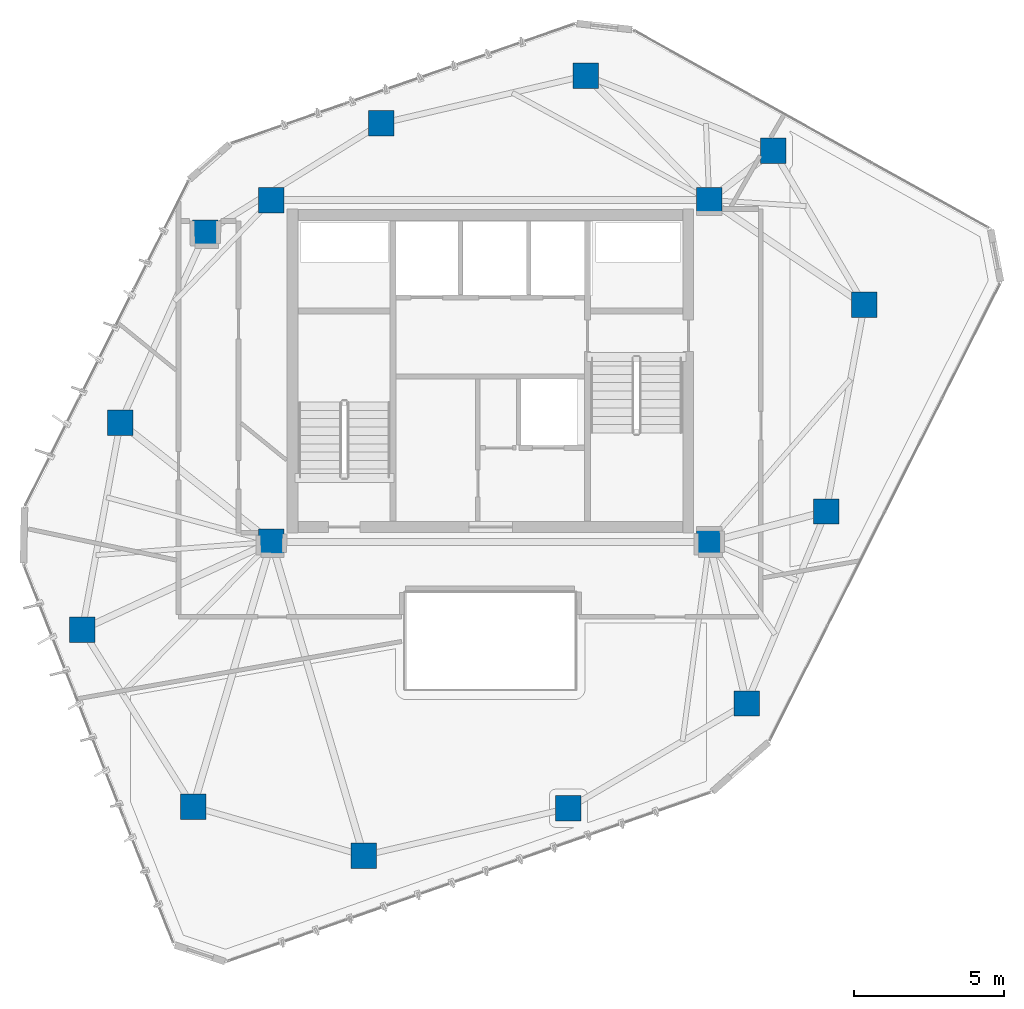
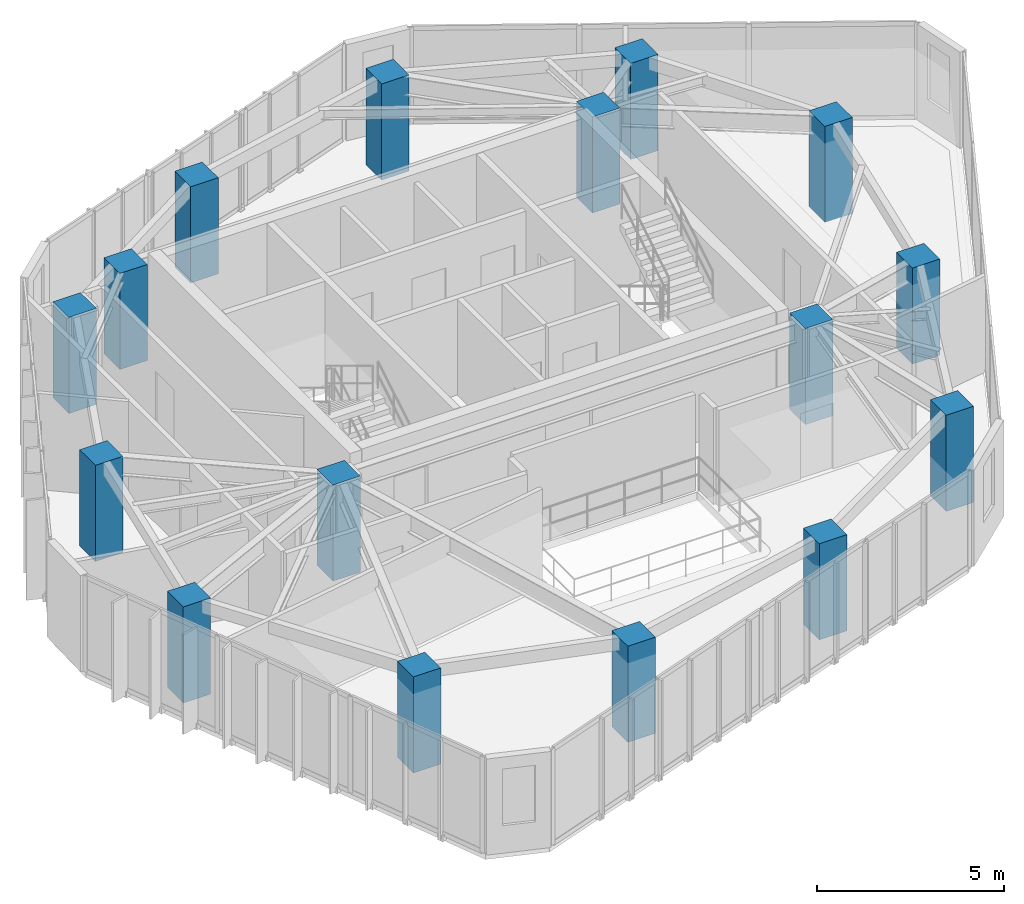
# One storey, part 1 of 20: 16 columns.
"""IFC4 building model written with IfcOpenShell, lengths in metres."""

from ifc_helpers import new_model, si_unit, direction, frame, origin, origin_2d, place, context, subcontext, project, spatial, rectangle, extrude, material, material_profile, profile_set, type_object, element, save


model = new_model("IFC4")

# Units and contexts
model_context = context("Model", 3, precision=1e-05, world=origin(), true_north=direction((0.0, 1.0)))
body_context = subcontext(model_context, "Body", "Model", "MODEL_VIEW")
ifc_project = project(units=[si_unit("LENGTHUNIT", "METRE"), si_unit("AREAUNIT", "SQUARE_METRE"), si_unit("VOLUMEUNIT", "CUBIC_METRE"), si_unit("PLANEANGLEUNIT", "RADIAN"), si_unit("MASSUNIT", "GRAM", prefix="KILO")], contexts=[model_context])

# Site, building, storey
site_placement = place(None, origin())
site = spatial("IfcSite", under=ifc_project, at=site_placement, CompositionType="ELEMENT")
building_placement = place(site_placement, origin())
building = spatial("IfcBuilding", under=site, at=building_placement, Name="Talar Marvaseh", CompositionType="ELEMENT")
storey_placement = place(building_placement, frame((0.0, 0.0, 285.0)))
storey = spatial("IfcBuildingStorey", under=building, at=storey_placement, Name="L76", CompositionType="ELEMENT", Elevation=285.0)

# Columns
ifc_material = material(Name="Concrete C50/60", Category="concrete")
ifc_material_profile = material_profile(ifc_material, rectangle(XDim=0.85009765625, YDim=0.85009765625, at=origin_2d()), Name="RC850x850")
ifc_profile_set = profile_set([ifc_material_profile], Name="Concrete C50/60")
column_type = type_object("IfcColumnType", Name="Zone 4 Tube Column RC850x850", PredefinedType="COLUMN", material=ifc_profile_set)
for number, where, z_axis, x_axis, name in (
    (1, (12.388916015625, 22.576904296875, 0.0), (0.0, 0.0, 1.0), (1.0, 0.0, 0.0), "L76 Zone 4 Tube Column RC850x850"),
    (2, (13.657958984375, 29.469970703125, 0.0), (0.0, 0.0, 1.0), (1.0, 0.0, 0.0), "L76 Zone 4 Tube Column RC850x850"),
    (3, (16.493896484375, 35.806884765625, 0.0), (0.0, 0.0, 1.0), (1.0, 0.0, 0.0), "L76 Zone 4 Tube Column RC850x850"),
    (4, (22.364990234375, 39.4541015625, 0.0), (0.0, 0.0, 1.0), (1.0, 0.0, 0.0), "L76 Zone 4 Tube Column RC850x850"),
    (5, (29.18798828125, 41.052001953125, 0.0), (0.0, 0.0, 1.0), (1.0, 0.0, 0.0), "L76 Zone 4 Tube Column RC850x850"),
    (6, (35.43798828125, 38.551025390625, 0.0), (0.0, 0.0, 1.0), (1.0, 0.0, 0.0), "L76 Zone 4 Tube Column RC850x850"),
    (7, (38.470947265625, 33.406005859375, 0.0), (0.0, 0.0, 1.0), (1.0, 0.0, 0.0), "L76 Zone 4 Tube Column RC850x850"),
    (8, (37.197021484375, 26.513916015625, 0.0), (0.0, 0.0, 1.0), (1.0, 0.0, 0.0), "L76 Zone 4 Tube Column RC850x850"),
    (9, (34.5439453125, 20.111083984375, 0.0), (0.0, 0.0, 1.0), (1.0, 0.0, 0.0), "L76 Zone 4 Tube Column RC850x850"),
    (10, (28.60498046875, 16.616943359375, 0.0), (0.0, 0.0, 1.0), (1.0, 0.0, 0.0), "L76 Zone 4 Tube Column RC850x850"),
    (11, (21.77587890625, 15.0400390625, 0.0), (0.0, 0.0, 1.0), (1.0, 0.0, 0.0), "L76 Zone 4 Tube Column RC850x850"),
    (12, (16.0869140625, 16.66796875, 0.0), (0.0, 0.0, 1.0), (1.0, 0.0, 0.0), "L76 Zone 4 Tube Column RC850x850"),
    (13, (18.699951171875, 25.5, 0.0), (0.0, 0.0, 1.0), (1.0, 0.0, 0.0), "L76 Zone 4 Tube Column RC850x850"),
    (14, (33.300048828125, 25.5, 0.0), (0.0, 0.0, 1.0), (1.0, 0.0, 0.0), "L76 Zone 4 Tube Column RC850x850"),
    (15, (33.300048828125, 36.89990234375, 0.0), (0.0, 0.0, 1.0), (1.0, 0.0, 0.0), "L76 Zone 4 Tube Column RC850x850"),
    (16, (18.699951171875, 36.89990234375, 0.0), (0.0, 0.0, 1.0), (1.0, 0.0, 0.0), "L76 Zone 4 Tube Column RC850x850"),
):
    element("IfcColumn", number, at=place(storey_placement, frame(where, z_axis=z_axis, x_axis=x_axis)), inside=storey, type_object=column_type, Name=name, PredefinedType="COLUMN", context=body_context, shape_type="SweptSolid", body=[
        extrude(rectangle(XDim=0.85009765625, YDim=0.85009765625, at=origin_2d()), origin(), (0.0, 0.0, 1.0), 3.139892578125),
    ])

save(model, "model.ifc")
